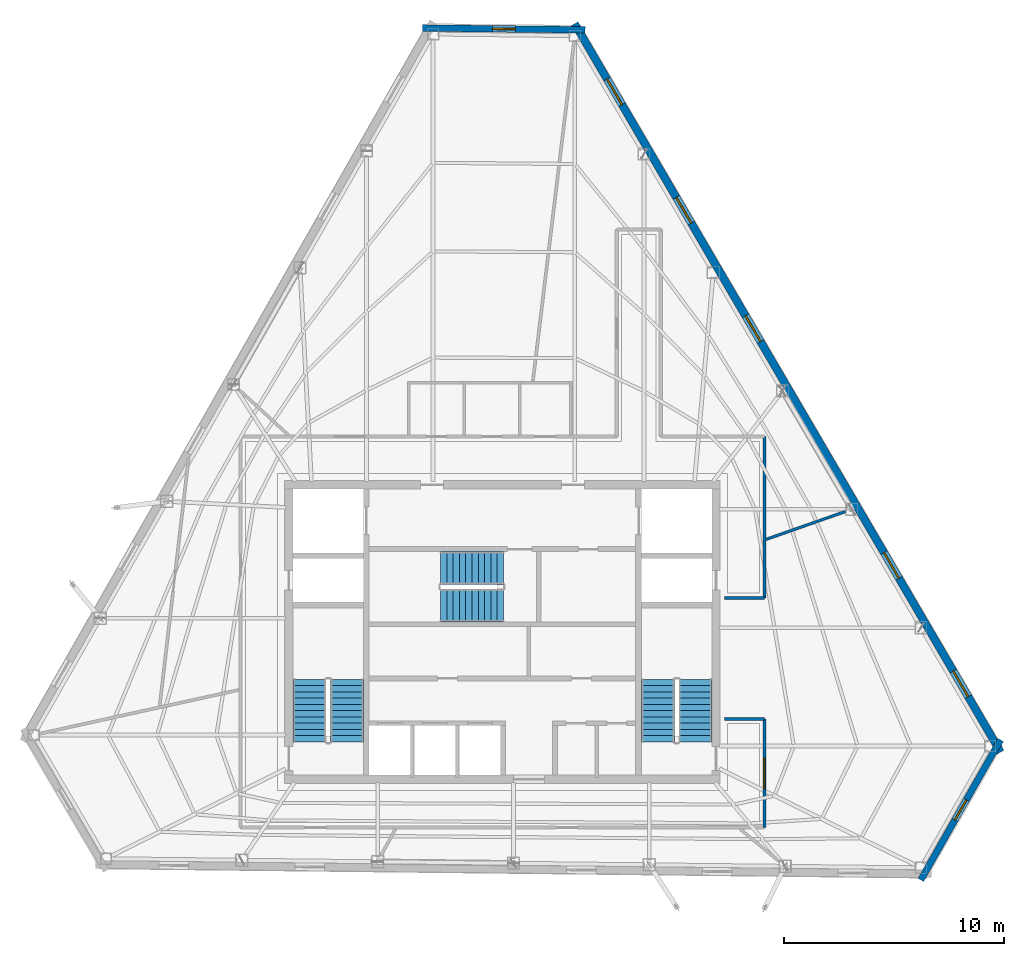
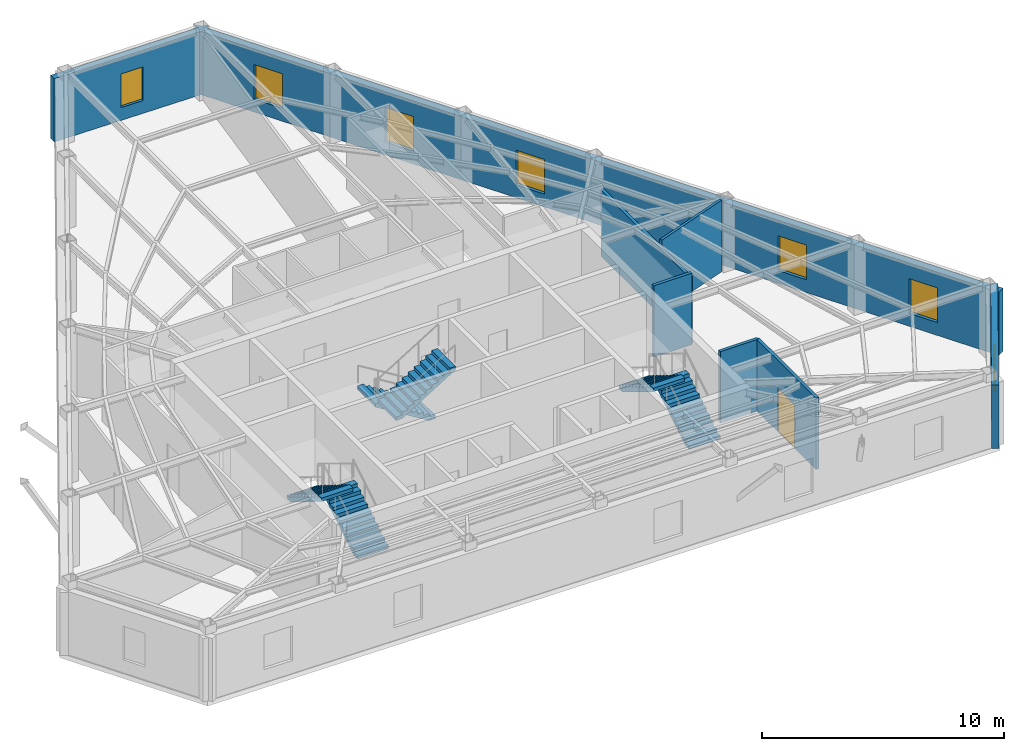
# One storey, part 10 of 11: 8 walls, 7 windows, 6 stair flights, 1 door, 8 openings, 3 elements without a shape of their own.
"""IFC4 building model written with IfcOpenShell, lengths in metres."""

from ifc_helpers import new_model, si_unit, direction, frame, frame_2d, origin, place, context, subcontext, project, spatial, polyline, rectangle, outline, extrude, material, layer, layer_set, type_object, element, fill, aggregate, save


model = new_model("IFC4")

# Units and contexts
model_context = context("Model", 3, precision=1e-05, world=origin(), true_north=direction((0.0, 1.0)))
body_context = subcontext(model_context, "Body", "Model", "MODEL_VIEW")
ifc_project = project(units=[si_unit("LENGTHUNIT", "METRE"), si_unit("AREAUNIT", "SQUARE_METRE"), si_unit("VOLUMEUNIT", "CUBIC_METRE"), si_unit("PLANEANGLEUNIT", "RADIAN"), si_unit("MASSUNIT", "GRAM", prefix="KILO")], contexts=[model_context])

# Site, building, storey
site_placement = place(None, origin())
site = spatial("IfcSite", under=ifc_project, at=site_placement, CompositionType="ELEMENT")
building_placement = place(site_placement, origin())
building = spatial("IfcBuilding", under=site, at=building_placement, Name="Kavelnor Concourse Tower", CompositionType="ELEMENT")
storey_placement = place(building_placement, frame((0.0, 0.0, 258.75)))
storey = spatial("IfcBuildingStorey", under=building, at=storey_placement, Name="L65", CompositionType="ELEMENT", Elevation=258.75)

# Wall, opening, window
ifc_material_1 = material(Name="Buff ironspot clay face brick masonry", Category="masonry")
ifc_layer_1 = layer(ifc_material_1, 0.300048828125, Name="Buff ironspot clay face brick masonry")
ifc_layer_set_1 = layer_set([ifc_layer_1], Name="Buff ironspot clay face brick masonry")
wall_type_1 = type_object("IfcWallType", Name="WL-EXT-BUFF-BRICK-FOLD-300", PredefinedType="STANDARD", material=ifc_layer_set_1)
wall_1_placement = place(storey_placement, frame((34.367431640625, 43.563720703125, 0.0), z_axis=(0.0, 0.0, 1.0), x_axis=(0.999937028375, -0.011222267359, 0.0)))
wall_1 = element("IfcWall", 1, at=wall_1_placement, inside=storey, type_object=wall_type_1, Name="L65 Exterior Brick Facade Wall E0", PredefinedType="STANDARD", context=body_context, shape_type="SweptSolid", body=[
    extrude(rectangle(XDim=7.396728515625, YDim=0.300048828125, at=frame_2d((3.6982421875, 0.0))), origin(), (0.0, 0.0, 1.0), 3.196044921875),
])
opening_1_placement = place(wall_1_placement, frame((3.17333984375, 0.0, 0.64990234375)))
opening_1 = element("IfcOpeningElement", 2, at=opening_1_placement, cuts=wall_1, Name="Opening W-06", PredefinedType="OPENING", context=body_context, shape_type="SweptSolid", body=[
    extrude(rectangle(XDim=1.050048828125, YDim=1.699951171875, at=frame_2d((0.52490234375, 0.85009765625))), frame((0.0, 0.16015625, 0.0), z_axis=(0.0, -1.0, 0.0), x_axis=(1.0, 0.0, 0.0)), (0.0, 0.0, 1.0), 0.320068359375),
])
ifc_material_2 = material(Name="Double low-E argon insulated glazing", Category="glass")
window_type_1 = type_object("IfcWindowType", Name="WIN-FOLD-1050", PartitioningType="SINGLE_PANEL", PredefinedType="WINDOW", material=ifc_material_2)
window_1_placement = place(opening_1_placement, origin())
window_1 = element("IfcWindow", 3, at=window_1_placement, inside=storey, type_object=window_type_1, Name="L65 Chamfer-Fold Facet Window C0", OverallHeight=1.699951171875, OverallWidth=1.050048828125, PartitioningType="SINGLE_PANEL", PredefinedType="WINDOW", context=body_context, shape_type="SweptSolid", body=[
    extrude(rectangle(XDim=1.050048828125, YDim=1.699951171875, at=frame_2d((0.52490234375, 0.85009765625))), frame((0.0, 0.030029296875, 0.0), z_axis=(0.0, -1.0, 0.0), x_axis=(1.0, 0.0, 0.0)), (0.0, 0.0, 1.0), 0.06005859375),
])
fill(opening_1, window_1)

wall_2_placement = place(storey_placement, frame((60.65087890625, 11.19140625, 0.0), z_axis=(0.0, 0.0, 1.0), x_axis=(-0.495112521008, -0.868828862056, 0.0)))
wall_2 = element("IfcWall", 4, at=wall_2_placement, inside=storey, type_object=wall_type_1, Name="L65 Exterior Brick Facade Wall E4", PredefinedType="STANDARD", context=body_context, shape_type="SweptSolid", body=[
    extrude(rectangle(XDim=7.328369140625, YDim=0.300048828125, at=frame_2d((3.6640625, 0.0))), origin(), (0.0, 0.0, 1.0), 3.196044921875),
])
opening_2_placement = place(wall_2_placement, frame((3.139404296875, 0.0, 0.64990234375)))
opening_2 = element("IfcOpeningElement", 5, at=opening_2_placement, cuts=wall_2, Name="Opening W-06", PredefinedType="OPENING", context=body_context, shape_type="SweptSolid", body=[
    extrude(rectangle(XDim=1.050048828125, YDim=1.699951171875, at=frame_2d((0.52490234375, 0.85009765625))), frame((0.0, 0.16015625, 0.0), z_axis=(0.0, -1.0, 0.0), x_axis=(1.0, 0.0, 0.0)), (0.0, 0.0, 1.0), 0.320068359375),
])
window_2_placement = place(opening_2_placement, origin())
window_2 = element("IfcWindow", 6, at=window_2_placement, inside=storey, type_object=window_type_1, Name="L65 Chamfer-Fold Facet Window C2", OverallHeight=1.699951171875, OverallWidth=1.050048828125, PartitioningType="SINGLE_PANEL", PredefinedType="WINDOW", context=body_context, shape_type="SweptSolid", body=[
    extrude(rectangle(XDim=1.050048828125, YDim=1.699951171875, at=frame_2d((0.52490234375, 0.85009765625))), frame((0.0, 0.030029296875, 0.0), z_axis=(0.0, -1.0, 0.0), x_axis=(1.0, 0.0, 0.0)), (0.0, 0.0, 1.0), 0.06005859375),
])
fill(opening_2, window_2)

# Wall, openings, windows
ifc_material_3 = material(Name="Red-ochre clay face brick masonry", Category="masonry")
ifc_layer_2 = layer(ifc_material_3, 0.35009765625, Name="Red-ochre clay face brick masonry")
ifc_layer_set_2 = layer_set([ifc_layer_2], Name="Red-ochre clay face brick masonry")
wall_type_2 = type_object("IfcWallType", Name="WL-EXT-RED-BRICK-PIER-350", PredefinedType="STANDARD", material=ifc_layer_set_2)
wall_3_placement = place(storey_placement, frame((41.28369140625, 43.759521484375, 0.0), z_axis=(0.0, 0.0, 1.0), x_axis=(0.50479404613, -0.863239810824, 0.0)))
wall_3 = element("IfcWall", 7, at=wall_3_placement, inside=storey, type_object=wall_type_2, Name="L65 Exterior Brick Facade Wall E5", PredefinedType="STANDARD", context=body_context, shape_type="SweptSolid", body=[
    extrude(rectangle(XDim=38.372314453125, YDim=0.35009765625, at=frame_2d((19.18603515625, 0.0))), origin(), (0.0, 0.0, 1.0), 3.196044921875),
])
opening_3_placement = place(wall_3_placement, frame((34.1015625, 0.0, 0.64990234375)))
opening_3 = element("IfcOpeningElement", 8, at=opening_3_placement, cuts=wall_3, Name="Opening W-04", PredefinedType="OPENING", context=body_context, shape_type="SweptSolid", body=[
    extrude(rectangle(XDim=1.35009765625, YDim=1.75, at=frame_2d((0.675048828125, 0.875))), frame((0.0, 0.18505859375, 0.0), z_axis=(0.0, -1.0, 0.0), x_axis=(1.0, 0.0, 0.0)), (0.0, 0.0, 1.0), 0.3701171875),
])
opening_4_placement = place(wall_3_placement, frame((27.8642578125, 0.0, 0.64990234375)))
opening_4 = element("IfcOpeningElement", 9, at=opening_4_placement, cuts=wall_3, Name="Opening W-04", PredefinedType="OPENING", context=body_context, shape_type="SweptSolid", body=[
    extrude(rectangle(XDim=1.35009765625, YDim=1.75, at=frame_2d((0.675048828125, 0.875))), frame((0.0, 0.18505859375, 0.0), z_axis=(0.0, -1.0, 0.0), x_axis=(1.0, 0.0, 0.0)), (0.0, 0.0, 1.0), 0.3701171875),
])
opening_5_placement = place(wall_3_placement, frame((15.389892578125, 0.0, 0.64990234375)))
opening_5 = element("IfcOpeningElement", 10, at=opening_5_placement, cuts=wall_3, Name="Opening W-04", PredefinedType="OPENING", context=body_context, shape_type="SweptSolid", body=[
    extrude(rectangle(XDim=1.35009765625, YDim=1.75, at=frame_2d((0.675048828125, 0.875))), frame((0.0, 0.18505859375, 0.0), z_axis=(0.0, -1.0, 0.0), x_axis=(1.0, 0.0, 0.0)), (0.0, 0.0, 1.0), 0.3701171875),
])
opening_6_placement = place(wall_3_placement, frame((9.152587890625, 0.0, 0.64990234375)))
opening_6 = element("IfcOpeningElement", 11, at=opening_6_placement, cuts=wall_3, Name="Opening W-04", PredefinedType="OPENING", context=body_context, shape_type="SweptSolid", body=[
    extrude(rectangle(XDim=1.35009765625, YDim=1.75, at=frame_2d((0.675048828125, 0.875))), frame((0.0, 0.18505859375, 0.0), z_axis=(0.0, -1.0, 0.0), x_axis=(1.0, 0.0, 0.0)), (0.0, 0.0, 1.0), 0.3701171875),
])
opening_7_placement = place(wall_3_placement, frame((2.915283203125, 0.0, 0.64990234375)))
opening_7 = element("IfcOpeningElement", 12, at=opening_7_placement, cuts=wall_3, Name="Opening W-04", PredefinedType="OPENING", context=body_context, shape_type="SweptSolid", body=[
    extrude(rectangle(XDim=1.35009765625, YDim=1.75, at=frame_2d((0.675048828125, 0.875))), frame((0.0, 0.18505859375, 0.0), z_axis=(0.0, -1.0, 0.0), x_axis=(1.0, 0.0, 0.0)), (0.0, 0.0, 1.0), 0.3701171875),
])
window_type_2 = type_object("IfcWindowType", Name="WIN-PIER-Z4-1350", PartitioningType="SINGLE_PANEL", PredefinedType="WINDOW", material=ifc_material_2)
window_3_placement = place(opening_3_placement, origin())
window_3 = element("IfcWindow", 13, at=window_3_placement, inside=storey, type_object=window_type_2, Name="L65 Deep-Set Brick Pier Window F2-B0", OverallHeight=1.75, OverallWidth=1.35009765625, PartitioningType="SINGLE_PANEL", PredefinedType="WINDOW", context=body_context, shape_type="SweptSolid", body=[
    extrude(rectangle(XDim=1.35009765625, YDim=1.75, at=frame_2d((0.675048828125, 0.875))), frame((0.0, 0.030029296875, 0.0), z_axis=(0.0, -1.0, 0.0), x_axis=(1.0, 0.0, 0.0)), (0.0, 0.0, 1.0), 0.06005859375),
])
fill(opening_3, window_3)
window_4_placement = place(opening_4_placement, origin())
window_4 = element("IfcWindow", 14, at=window_4_placement, inside=storey, type_object=window_type_2, Name="L65 Deep-Set Brick Pier Window F2-B1", OverallHeight=1.75, OverallWidth=1.35009765625, PartitioningType="SINGLE_PANEL", PredefinedType="WINDOW", context=body_context, shape_type="SweptSolid", body=[
    extrude(rectangle(XDim=1.35009765625, YDim=1.75, at=frame_2d((0.675048828125, 0.875))), frame((0.0, 0.030029296875, 0.0), z_axis=(0.0, -1.0, 0.0), x_axis=(1.0, 0.0, 0.0)), (0.0, 0.0, 1.0), 0.06005859375),
])
fill(opening_4, window_4)
window_5_placement = place(opening_5_placement, origin())
window_5 = element("IfcWindow", 15, at=window_5_placement, inside=storey, type_object=window_type_2, Name="L65 Deep-Set Brick Pier Window F2-B3", OverallHeight=1.75, OverallWidth=1.35009765625, PartitioningType="SINGLE_PANEL", PredefinedType="WINDOW", context=body_context, shape_type="SweptSolid", body=[
    extrude(rectangle(XDim=1.35009765625, YDim=1.75, at=frame_2d((0.675048828125, 0.875))), frame((0.0, 0.030029296875, 0.0), z_axis=(0.0, -1.0, 0.0), x_axis=(1.0, 0.0, 0.0)), (0.0, 0.0, 1.0), 0.06005859375),
])
fill(opening_5, window_5)
window_6_placement = place(opening_6_placement, origin())
window_6 = element("IfcWindow", 16, at=window_6_placement, inside=storey, type_object=window_type_2, Name="L65 Deep-Set Brick Pier Window F2-B4", OverallHeight=1.75, OverallWidth=1.35009765625, PartitioningType="SINGLE_PANEL", PredefinedType="WINDOW", context=body_context, shape_type="SweptSolid", body=[
    extrude(rectangle(XDim=1.35009765625, YDim=1.75, at=frame_2d((0.675048828125, 0.875))), frame((0.0, 0.030029296875, 0.0), z_axis=(0.0, -1.0, 0.0), x_axis=(1.0, 0.0, 0.0)), (0.0, 0.0, 1.0), 0.06005859375),
])
fill(opening_6, window_6)
window_7_placement = place(opening_7_placement, origin())
window_7 = element("IfcWindow", 17, at=window_7_placement, inside=storey, type_object=window_type_2, Name="L65 Deep-Set Brick Pier Window F2-B5", OverallHeight=1.75, OverallWidth=1.35009765625, PartitioningType="SINGLE_PANEL", PredefinedType="WINDOW", context=body_context, shape_type="SweptSolid", body=[
    extrude(rectangle(XDim=1.35009765625, YDim=1.75, at=frame_2d((0.675048828125, 0.875))), frame((0.0, 0.030029296875, 0.0), z_axis=(0.0, -1.0, 0.0), x_axis=(1.0, 0.0, 0.0)), (0.0, 0.0, 1.0), 0.06005859375),
])
fill(opening_7, window_7)

# Walls
ifc_material_4 = material(Name="Gypsum plasterboard on light-gauge steel studs", Category="steel")
ifc_layer_3 = layer(ifc_material_4, 0.14501953125, Name="Gypsum plasterboard on light-gauge steel studs")
ifc_layer_set_3 = layer_set([ifc_layer_3], Name="Gypsum plasterboard on light-gauge steel studs")
wall_type_3 = type_object("IfcWallType", Name="WL-INT-CORR-145", PredefinedType="PARTITIONING", material=ifc_layer_set_3)
wall_4_placement = place(storey_placement, frame((49.909912109375, 24.989990234375, 0.0), z_axis=(0.0, 0.0, 1.0), x_axis=(0.0, -1.0, 0.0)))
element("IfcWall", 18, at=wall_4_placement, inside=storey, type_object=wall_type_3, Name="L65 Corridor Wall WL-L65-CR-05", PredefinedType="PARTITIONING", context=body_context, shape_type="SweptSolid", body=[
    extrude(rectangle(XDim=7.340087890625, YDim=0.14501953125, at=frame_2d((3.669921875, 0.0))), origin(), (0.0, 0.0, 1.0), 3.34912109375),
])
for number, where, z_axis, x_axis, name in (
    (19, (49.909912109375, 17.64990234375, 0.0), (0.0, 0.0, 1.0), (-1.0, 0.0, 0.0), "L65 Corridor Wall WL-L65-CR-06"),
    (20, (48.090087890625, 12.14990234375, 0.0), (0.0, 0.0, 1.0), (1.0, 0.0, 0.0), "L65 Corridor Wall WL-L65-CR-07"),
):
    element("IfcWall", number, at=place(storey_placement, frame(where, z_axis=z_axis, x_axis=x_axis)), inside=storey, type_object=wall_type_3, Name=name, PredefinedType="PARTITIONING", context=body_context, shape_type="SweptSolid", body=[
        extrude(rectangle(XDim=1.81982421875, YDim=0.14501953125, at=frame_2d((0.909912109375, 0.0))), origin(), (0.0, 0.0, 1.0), 3.610107421875),
    ])

# Wall, opening, door
wall_5_placement = place(storey_placement, frame((49.909912109375, 12.14990234375, 0.0), z_axis=(0.0, 0.0, 1.0), x_axis=(0.0, -1.0, 0.0)))
wall_5 = element("IfcWall", 21, at=wall_5_placement, inside=storey, type_object=wall_type_3, Name="L65 Corridor Wall WL-L65-CR-08", PredefinedType="PARTITIONING", context=body_context, shape_type="SweptSolid", body=[
    extrude(rectangle(XDim=4.93994140625, YDim=0.14501953125, at=frame_2d((2.469970703125, 0.0))), origin(), (0.0, 0.0, 1.0), 3.610107421875),
])
opening_8_placement = place(wall_5_placement, frame((1.77001953125, 0.0, 0.0)))
opening_8 = element("IfcOpeningElement", 22, at=opening_8_placement, cuts=wall_5, Name="Opening SD-140", PredefinedType="OPENING", context=body_context, shape_type="SweptSolid", body=[
    extrude(rectangle(XDim=1.39990234375, YDim=2.199951171875, at=frame_2d((0.699951171875, 1.10009765625))), frame((0.0, 0.08251953125, 0.0), z_axis=(0.0, -1.0, 0.0), x_axis=(1.0, 0.0, 0.0)), (0.0, 0.0, 1.0), 0.1650390625),
])
ifc_material_5 = material(Name="Solid-core hardwood timber", Category="wood")
door_type = type_object("IfcDoorType", Name="DR-SUITE-ENTRY-1400", OperationType="NOTDEFINED", PredefinedType="DOOR", material=ifc_material_5)
door_placement = place(opening_8_placement, origin())
door = element("IfcDoor", 23, at=door_placement, inside=storey, type_object=door_type, Name="L65 Workplace Open Office 07 Door", OperationType="SINGLE_SWING_LEFT", OverallHeight=2.199951171875, OverallWidth=1.39990234375, PredefinedType="DOOR", context=body_context, shape_type="SweptSolid", body=[
    extrude(rectangle(XDim=1.39990234375, YDim=2.199951171875, at=frame_2d((0.699951171875, 1.10009765625))), frame((0.0, 0.02490234375, 0.0), z_axis=(0.0, -1.0, 0.0), x_axis=(1.0, 0.0, 0.0)), (0.0, 0.0, 1.0), 0.050048828125),
])
fill(opening_8, door)

# Wall
ifc_layer_4 = layer(ifc_material_4, 0.125, Name="Gypsum plasterboard on light-gauge steel studs")
ifc_layer_set_4 = layer_set([ifc_layer_4], Name="Gypsum plasterboard on light-gauge steel studs")
wall_type_4 = type_object("IfcWallType", Name="WL-INT-SUITE-125", PredefinedType="PARTITIONING", material=ifc_layer_set_4)
wall_6_placement = place(storey_placement, frame((49.990478515625, 20.31201171875, 0.0), z_axis=(0.0, 0.0, 1.0), x_axis=(0.943507124712, 0.331352237986, 0.0)))
element("IfcWall", 24, at=wall_6_placement, inside=storey, type_object=wall_type_4, Name="L65 Radial Suite Partition 01", PredefinedType="PARTITIONING", context=body_context, shape_type="SweptSolid", body=[
    extrude(rectangle(XDim=3.8203125, YDim=0.125, at=frame_2d((1.91015625, 0.0))), origin(), (0.0, 0.0, 1.0), 3.610107421875),
])

# Stair, stair flights
ifc_material_6 = material(Name="Concrete C40/50", Category="concrete")
stair_type = type_object("IfcStairType", Name="STR-CORE-1500", PredefinedType="HALF_TURN_STAIR", material=ifc_material_6)
stair_1_placement = place(storey_placement, origin())
stair_1 = element("IfcStair", 25, at=stair_1_placement, inside=storey, type_object=stair_type, Name="L65 ST1", PredefinedType="HALF_TURN_STAIR")
stair_flight_type = type_object("IfcStairFlightType", Name="STR-FLIGHT-1500", PredefinedType="STRAIGHT", material=ifc_material_6)
stair_flight_1_placement = place(storey_placement, frame((30.929931640625, 11.10009765625, 0.0), z_axis=(0.0, 0.0, 1.0), x_axis=(0.0, 1.0, 0.0)))
stair_flight_1 = element("IfcStairFlight", 26, at=stair_flight_1_placement, type_object=stair_flight_type, Name="ST1 flight 1", NumberOfRisers=11, NumberOfTreads=10, PredefinedType="STRAIGHT", RiserHeight=0.175, TreadLength=0.285, context=body_context, shape_type="SweptSolid", body=[
    extrude(outline(polyline([(0.0, 0.0), (0.0, 0.175048828125), (0.284912109375, 0.175048828125), (0.284912109375, 0.35009765625), (0.570068359375, 0.35009765625), (0.570068359375, 0.52490234375), (0.85498046875, 0.52490234375), (0.85498046875, 0.699951171875), (1.139892578125, 0.699951171875), (1.139892578125, 0.875), (1.425048828125, 0.875), (1.425048828125, 1.050048828125), (1.7099609375, 1.050048828125), (1.7099609375, 1.22509765625), (1.9951171875, 1.22509765625), (1.9951171875, 1.39990234375), (2.280029296875, 1.39990234375), (2.280029296875, 1.574951171875), (2.56494140625, 1.574951171875), (2.56494140625, 1.75), (2.85009765625, 1.75), (2.85009765625, 1.925048828125), (2.85009765625, 1.573974609375), (0.286376953125, 0.0), (0.0, 0.0)])), frame((0.0, 0.75, 0.0), z_axis=(0.0, -1.0, 0.0), x_axis=(1.0, 0.0, 0.0)), (0.0, 0.0, 1.0), 1.5),
])
stair_flight_2_placement = place(storey_placement, frame((29.22998046875, 13.949951171875, 1.925048828125), z_axis=(0.0, 0.0, 1.0), x_axis=(0.0, -1.0, 0.0)))
stair_flight_2 = element("IfcStairFlight", 27, at=stair_flight_2_placement, type_object=stair_flight_type, Name="ST1 flight 2", NumberOfRisers=11, NumberOfTreads=10, PredefinedType="STRAIGHT", RiserHeight=0.175, TreadLength=0.285, context=body_context, shape_type="SweptSolid", body=[
    extrude(outline(polyline([(0.0, 0.0), (0.0, 0.175048828125), (0.284912109375, 0.175048828125), (0.284912109375, 0.35009765625), (0.570068359375, 0.35009765625), (0.570068359375, 0.52490234375), (0.85498046875, 0.52490234375), (0.85498046875, 0.699951171875), (1.139892578125, 0.699951171875), (1.139892578125, 0.875), (1.425048828125, 0.875), (1.425048828125, 1.050048828125), (1.7099609375, 1.050048828125), (1.7099609375, 1.22509765625), (1.9951171875, 1.22509765625), (1.9951171875, 1.39990234375), (2.280029296875, 1.39990234375), (2.280029296875, 1.574951171875), (2.56494140625, 1.574951171875), (2.56494140625, 1.75), (2.85009765625, 1.75), (2.85009765625, 1.925048828125), (2.85009765625, 1.573974609375), (0.286376953125, 0.0), (0.0, 0.0)])), frame((0.0, 0.75, 0.0), z_axis=(0.0, -1.0, 0.0), x_axis=(1.0, 0.0, 0.0)), (0.0, 0.0, 1.0), 1.5),
])
aggregate(stair_1, [stair_flight_1, stair_flight_2])

stair_2_placement = place(storey_placement, origin())
stair_2 = element("IfcStair", 28, at=stair_2_placement, inside=storey, type_object=stair_type, Name="L65 ST2", PredefinedType="HALF_TURN_STAIR")
stair_flight_3_placement = place(storey_placement, frame((46.77001953125, 11.10009765625, 0.0), z_axis=(0.0, 0.0, 1.0), x_axis=(0.0, 1.0, 0.0)))
stair_flight_3 = element("IfcStairFlight", 29, at=stair_flight_3_placement, type_object=stair_flight_type, Name="ST2 flight 1", NumberOfRisers=11, NumberOfTreads=10, PredefinedType="STRAIGHT", RiserHeight=0.175, TreadLength=0.285, context=body_context, shape_type="SweptSolid", body=[
    extrude(outline(polyline([(0.0, 0.0), (0.0, 0.175048828125), (0.284912109375, 0.175048828125), (0.284912109375, 0.35009765625), (0.570068359375, 0.35009765625), (0.570068359375, 0.52490234375), (0.85498046875, 0.52490234375), (0.85498046875, 0.699951171875), (1.139892578125, 0.699951171875), (1.139892578125, 0.875), (1.425048828125, 0.875), (1.425048828125, 1.050048828125), (1.7099609375, 1.050048828125), (1.7099609375, 1.22509765625), (1.9951171875, 1.22509765625), (1.9951171875, 1.39990234375), (2.280029296875, 1.39990234375), (2.280029296875, 1.574951171875), (2.56494140625, 1.574951171875), (2.56494140625, 1.75), (2.85009765625, 1.75), (2.85009765625, 1.925048828125), (2.85009765625, 1.573974609375), (0.286376953125, 0.0), (0.0, 0.0)])), frame((0.0, 0.75, 0.0), z_axis=(0.0, -1.0, 0.0), x_axis=(1.0, 0.0, 0.0)), (0.0, 0.0, 1.0), 1.5),
])
stair_flight_4_placement = place(storey_placement, frame((45.070068359375, 13.949951171875, 1.925048828125), z_axis=(0.0, 0.0, 1.0), x_axis=(0.0, -1.0, 0.0)))
stair_flight_4 = element("IfcStairFlight", 30, at=stair_flight_4_placement, type_object=stair_flight_type, Name="ST2 flight 2", NumberOfRisers=11, NumberOfTreads=10, PredefinedType="STRAIGHT", RiserHeight=0.175, TreadLength=0.285, context=body_context, shape_type="SweptSolid", body=[
    extrude(outline(polyline([(0.0, 0.0), (0.0, 0.175048828125), (0.284912109375, 0.175048828125), (0.284912109375, 0.35009765625), (0.570068359375, 0.35009765625), (0.570068359375, 0.52490234375), (0.85498046875, 0.52490234375), (0.85498046875, 0.699951171875), (1.139892578125, 0.699951171875), (1.139892578125, 0.875), (1.425048828125, 0.875), (1.425048828125, 1.050048828125), (1.7099609375, 1.050048828125), (1.7099609375, 1.22509765625), (1.9951171875, 1.22509765625), (1.9951171875, 1.39990234375), (2.280029296875, 1.39990234375), (2.280029296875, 1.574951171875), (2.56494140625, 1.574951171875), (2.56494140625, 1.75), (2.85009765625, 1.75), (2.85009765625, 1.925048828125), (2.85009765625, 1.573974609375), (0.286376953125, 0.0), (0.0, 0.0)])), frame((0.0, 0.75, 0.0), z_axis=(0.0, -1.0, 0.0), x_axis=(1.0, 0.0, 0.0)), (0.0, 0.0, 1.0), 1.5),
])
aggregate(stair_2, [stair_flight_3, stair_flight_4])

stair_3_placement = place(storey_placement, origin())
stair_3 = element("IfcStair", 31, at=stair_3_placement, inside=storey, type_object=stair_type, Name="L65 ST3", PredefinedType="HALF_TURN_STAIR")
stair_flight_5_placement = place(storey_placement, frame((38.0400390625, 19.010009765625, 0.0), z_axis=(0.0, 0.0, 1.0), x_axis=(-1.0, 0.0, 0.0)))
stair_flight_5 = element("IfcStairFlight", 32, at=stair_flight_5_placement, type_object=stair_flight_type, Name="ST3 flight 1", NumberOfRisers=11, NumberOfTreads=10, PredefinedType="STRAIGHT", RiserHeight=0.175, TreadLength=0.285, context=body_context, shape_type="SweptSolid", body=[
    extrude(outline(polyline([(0.0, 0.0), (0.0, 0.175048828125), (0.284912109375, 0.175048828125), (0.284912109375, 0.35009765625), (0.570068359375, 0.35009765625), (0.570068359375, 0.52490234375), (0.85498046875, 0.52490234375), (0.85498046875, 0.699951171875), (1.139892578125, 0.699951171875), (1.139892578125, 0.875), (1.425048828125, 0.875), (1.425048828125, 1.050048828125), (1.7099609375, 1.050048828125), (1.7099609375, 1.22509765625), (1.9951171875, 1.22509765625), (1.9951171875, 1.39990234375), (2.280029296875, 1.39990234375), (2.280029296875, 1.574951171875), (2.56494140625, 1.574951171875), (2.56494140625, 1.75), (2.85009765625, 1.75), (2.85009765625, 1.925048828125), (2.85009765625, 1.573974609375), (0.286376953125, 0.0), (0.0, 0.0)])), frame((0.0, 0.75, 0.0), z_axis=(0.0, -1.0, 0.0), x_axis=(1.0, 0.0, 0.0)), (0.0, 0.0, 1.0), 1.5),
])
stair_flight_6_placement = place(storey_placement, frame((35.18994140625, 17.31005859375, 1.925048828125), z_axis=(0.0, 0.0, 1.0), x_axis=(1.0, 0.0, 0.0)))
stair_flight_6 = element("IfcStairFlight", 33, at=stair_flight_6_placement, type_object=stair_flight_type, Name="ST3 flight 2", NumberOfRisers=11, NumberOfTreads=10, PredefinedType="STRAIGHT", RiserHeight=0.175, TreadLength=0.285, context=body_context, shape_type="SweptSolid", body=[
    extrude(outline(polyline([(0.0, 0.0), (0.0, 0.175048828125), (0.284912109375, 0.175048828125), (0.284912109375, 0.35009765625), (0.570068359375, 0.35009765625), (0.570068359375, 0.52490234375), (0.85498046875, 0.52490234375), (0.85498046875, 0.699951171875), (1.139892578125, 0.699951171875), (1.139892578125, 0.875), (1.425048828125, 0.875), (1.425048828125, 1.050048828125), (1.7099609375, 1.050048828125), (1.7099609375, 1.22509765625), (1.9951171875, 1.22509765625), (1.9951171875, 1.39990234375), (2.280029296875, 1.39990234375), (2.280029296875, 1.574951171875), (2.56494140625, 1.574951171875), (2.56494140625, 1.75), (2.85009765625, 1.75), (2.85009765625, 1.925048828125), (2.85009765625, 1.573974609375), (0.286376953125, 0.0), (0.0, 0.0)])), frame((0.0, 0.75, 0.0), z_axis=(0.0, -1.0, 0.0), x_axis=(1.0, 0.0, 0.0)), (0.0, 0.0, 1.0), 1.5),
])
aggregate(stair_3, [stair_flight_5, stair_flight_6])

save(model, "model.ifc")
